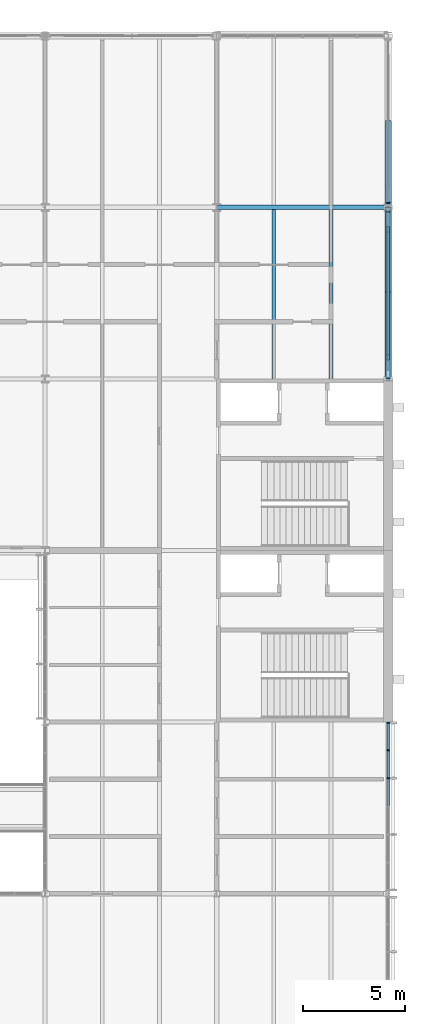
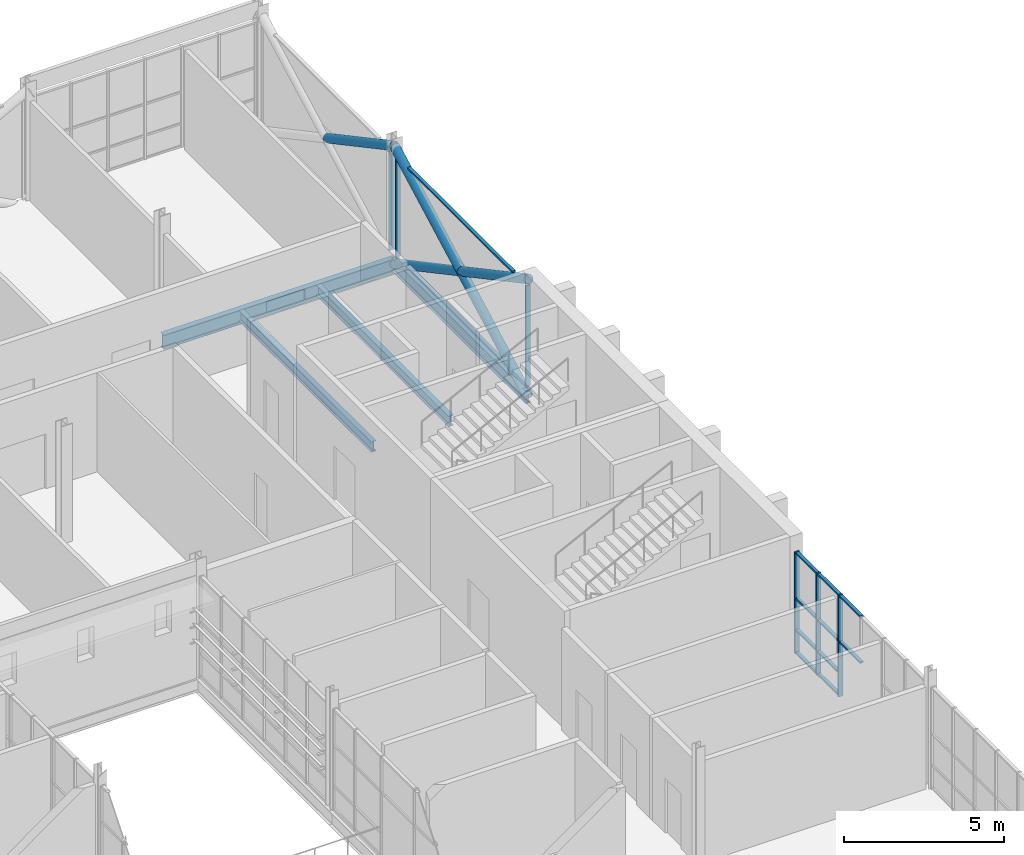
# One storey, part 58 of 129: 22 members, 4 beams, 3 elements without a shape of their own.
"""IFC4 building model written with IfcOpenShell, lengths in metres."""

from ifc_helpers import new_model, si_unit, direction, frame, origin, origin_2d, place, context, subcontext, project, spatial, rectangle, hollow_circle, i_section, extrude, material, layer, layer_set, material_profile, profile_set, type_object, element, aggregate, save


model = new_model("IFC4")

# Units and contexts
model_context = context("Model", 3, precision=1e-05, world=origin(), true_north=direction((0.0, 1.0)))
body_context = subcontext(model_context, "Body", "Model", "MODEL_VIEW")
ifc_project = project(units=[si_unit("LENGTHUNIT", "METRE"), si_unit("AREAUNIT", "SQUARE_METRE"), si_unit("VOLUMEUNIT", "CUBIC_METRE"), si_unit("PLANEANGLEUNIT", "RADIAN"), si_unit("MASSUNIT", "GRAM", prefix="KILO")], contexts=[model_context])

# Site, building, storey
site_placement = place(None, origin())
site = spatial("IfcSite", under=ifc_project, at=site_placement, CompositionType="ELEMENT")
building_placement = place(site_placement, origin())
building = spatial("IfcBuilding", under=site, at=building_placement, Name="Ardhachandra Cancer Care Centre", CompositionType="ELEMENT")
storey_placement = place(building_placement, frame((0.0, 0.0, 4.5)))
storey = spatial("IfcBuildingStorey", under=building, at=storey_placement, Name="L01", CompositionType="ELEMENT", Elevation=4.5)

# Beams
ifc_material_1 = material(Name="Steel E350 (IS 2062)", Category="steel")
ifc_material_profile_1 = material_profile(ifc_material_1, i_section(OverallWidth=0.179931640625, OverallDepth=0.39990234375, WebThickness=0.008544921875, FlangeThickness=0.013427734375, FilletRadius=0.02099609375, at=origin_2d()), Name="NPB 400x180x66.30")
ifc_profile_set_1 = profile_set([ifc_material_profile_1], Name="Steel E350 (IS 2062)")
beam_type_1 = type_object("IfcBeamType", Name="Beam NPB 400x180x66.30", PredefinedType="BEAM", material=ifc_profile_set_1)
for number, where, z_axis, x_axis, name in (
    (1, (139.60009765625, 88.199951171875, -0.35009765625), (0.0, 1.0, 0.0), (-1.0, 0.0, 0.0), "Secondary K16-L16@2800"),
    (2, (142.39990234375, 88.199951171875, -0.35009765625), (0.0, 1.0, 0.0), (-1.0, 0.0, 0.0), "Secondary K16-L16@5600"),
):
    element("IfcBeam", number, at=place(storey_placement, frame(where, z_axis=z_axis, x_axis=x_axis)), inside=storey, type_object=beam_type_1, Name=name, PredefinedType="BEAM", context=body_context, shape_type="SweptSolid", body=[
        extrude(i_section(OverallWidth=0.179931640625, OverallDepth=0.39990234375, WebThickness=0.008544921875, FlangeThickness=0.013427734375, FilletRadius=0.02099609375, at=origin_2d()), origin(), (0.0, 0.0, 1.0), 8.295166015625),
    ])
ifc_material_2 = material(Name="Steel E350 (IS 2062)", Category="steel")
ifc_material_profile_2 = material_profile(ifc_material_2, i_section(OverallWidth=0.199951171875, OverallDepth=0.5, WebThickness=0.01025390625, FlangeThickness=0.01611328125, FilletRadius=0.02099609375, at=origin_2d()), Name="NPB 500x200x90.68")
ifc_profile_set_2 = profile_set([ifc_material_profile_2], Name="Steel E350 (IS 2062)")
beam_type_2 = type_object("IfcBeamType", Name="Beam NPB 500x200x90.68", PredefinedType="BEAM", material=ifc_profile_set_2)
beam_1_placement = place(storey_placement, frame((145.199951171875, 88.199951171875, -0.39990234375), z_axis=(0.0, 1.0, 0.0), x_axis=(-1.0, 0.0, 0.0)))
element("IfcBeam", 3, at=beam_1_placement, inside=storey, type_object=beam_type_2, Name="Edge girder K17-L17", PredefinedType="BEAM", context=body_context, shape_type="SweptSolid", body=[
    extrude(i_section(OverallWidth=0.199951171875, OverallDepth=0.5, WebThickness=0.01025390625, FlangeThickness=0.01611328125, FilletRadius=0.02099609375, at=origin_2d()), origin(), (0.0, 0.0, 1.0), 8.400146484375),
])
ifc_material_3 = material(Name="Steel E350 (IS 2062)", Category="steel")
ifc_material_profile_3 = material_profile(ifc_material_3, i_section(OverallWidth=0.2099609375, OverallDepth=0.550048828125, WebThickness=0.010986328125, FlangeThickness=0.01708984375, FilletRadius=0.02392578125, at=origin_2d()), Name="NPB 550x210x105.52")
ifc_profile_set_3 = profile_set([ifc_material_profile_3], Name="Steel E350 (IS 2062)")
beam_type_3 = type_object("IfcBeamType", Name="Beam NPB 550x210x105.52", PredefinedType="BEAM", material=ifc_profile_set_3)
beam_2_placement = place(storey_placement, frame((136.800048828125, 96.60009765625, -0.425048828125), z_axis=(1.0, 0.0, 0.0), x_axis=(0.0, 1.0, 0.0)))
element("IfcBeam", 4, at=beam_2_placement, inside=storey, type_object=beam_type_3, Name="Girder L16-L17", PredefinedType="BEAM", context=body_context, shape_type="SweptSolid", body=[
    extrude(i_section(OverallWidth=0.2099609375, OverallDepth=0.550048828125, WebThickness=0.010986328125, FlangeThickness=0.01708984375, FilletRadius=0.02392578125, at=origin_2d()), origin(), (0.0, 0.0, 1.0), 8.39990234375),
])

# Members
ifc_material_4 = material(Name="Steel E350 (IS 2062)", Category="steel")
ifc_material_profile_4 = material_profile(ifc_material_4, hollow_circle(Radius=0.161865234375, WallThickness=0.012451171875, at=origin_2d()), Name="CHS 323.9x12.5")
ifc_profile_set_4 = profile_set([ifc_material_profile_4], Name="Steel E350 (IS 2062)")
member_type_1 = type_object("IfcMemberType", Name="Brace CHS 323.9x12.5", PredefinedType="BRACE", material=ifc_profile_set_4)
member_1_placement = place(storey_placement, frame((145.199951171875, 88.199951171875, -0.39990234375), z_axis=(0.0, 0.881483397762, 0.472215014025), x_axis=(-1.0, 0.0, 0.0)))
element("IfcMember", 5, at=member_1_placement, inside=storey, type_object=member_type_1, Name="Brace V5-Y1452-882 L01 A", PredefinedType="BRACE", context=body_context, shape_type="SweptSolid", body=[
    extrude(hollow_circle(Radius=0.161865234375, WallThickness=0.012451171875, at=origin_2d()), origin(), (0.0, 0.0, 1.0), 9.529541015625),
])
member_2_placement = place(storey_placement, frame((145.199951171875, 96.60009765625, -0.39990234375), z_axis=(0.0, -0.881489110341, 0.472204350203), x_axis=(1.0, 0.0, 0.0)))
element("IfcMember", 6, at=member_2_placement, inside=storey, type_object=member_type_1, Name="Brace V5-Y1452-882 L01 B1", PredefinedType="BRACE", context=body_context, shape_type="SweptSolid", body=[
    extrude(hollow_circle(Radius=0.161865234375, WallThickness=0.012451171875, at=origin_2d()), origin(), (0.0, 0.0, 1.0), 4.764892578125),
])
for number, where, z_axis, x_axis, name in (
    (7, (145.199951171875, 92.39990234375, 1.85009765625), (0.0, -0.881477684796, 0.472225678258), (1.0, 0.0, 0.0), "Brace V5-Y1452-882 L01 B2"),
    (8, (145.199951171875, 100.800048828125, 1.85009765625), (0.0, -0.881477684796, 0.472225678258), (1.0, 0.0, 0.0), "Brace V5-Y1452-966 L01 B2"),
):
    element("IfcMember", number, at=place(storey_placement, frame(where, z_axis=z_axis, x_axis=x_axis)), inside=storey, type_object=member_type_1, Name=name, PredefinedType="BRACE", context=body_context, shape_type="SweptSolid", body=[
        extrude(hollow_circle(Radius=0.161865234375, WallThickness=0.012451171875, at=origin_2d()), origin(), (0.0, 0.0, 1.0), 4.7646484375),
    ])

# Curtain wall, members
ifc_material_5 = material(Name="Aluminium extrusion", Category="aluminium")
ifc_layer = layer(ifc_material_5, 0.14990234375)
ifc_layer_set = layer_set([ifc_layer], Name="Aluminium extrusion")
curtain_wall_type = type_object("IfcCurtainWallType", Name="Curtain wall run", PredefinedType="NOTDEFINED", material=ifc_layer_set)
curtain_wall_1_placement = place(storey_placement, origin())
curtain_wall_1 = element("IfcCurtainWall", 9, at=curtain_wall_1_placement, inside=storey, type_object=curtain_wall_type, Name="Curtain wall L01 e/0145200_0063000", PredefinedType="NOTDEFINED")
ifc_material_6 = material(Name="Aluminium extrusion", Category="aluminium")
ifc_material_profile_5 = material_profile(ifc_material_6, rectangle(XDim=0.159912109375, YDim=0.06005859375, at=origin_2d()), Name="Curtain wall mullion 60 x 160")
ifc_profile_set_5 = profile_set([ifc_material_profile_5], Name="Aluminium extrusion")
member_type_2 = type_object("IfcMemberType", Name="Curtain wall mullion 60 x 160", PredefinedType="MULLION", material=ifc_profile_set_5)
member_3_placement = place(storey_placement, frame((145.199951171875, 68.6484375, 0.0), z_axis=(0.0, 0.0, 1.0), x_axis=(-1.0, 0.0, 0.0)))
member_3 = element("IfcMember", 10, at=member_3_placement, type_object=member_type_2, Name="CW mullion 5", PredefinedType="MULLION", context=body_context, shape_type="SweptSolid", body=[
    extrude(rectangle(XDim=0.159912109375, YDim=0.06005859375, at=origin_2d()), origin(), (0.0, 0.0, 1.0), 3.885986328125),
])
member_4_placement = place(storey_placement, frame((145.199951171875, 70.024169921875, 0.0), z_axis=(0.0, 0.0, 1.0), x_axis=(-1.0, 0.0, 0.0)))
member_4 = element("IfcMember", 11, at=member_4_placement, type_object=member_type_2, Name="CW mullion 6", PredefinedType="MULLION", context=body_context, shape_type="SweptSolid", body=[
    extrude(rectangle(XDim=0.159912109375, YDim=0.06005859375, at=origin_2d()), origin(), (0.0, 0.0, 1.0), 3.885986328125),
])
member_5_placement = place(storey_placement, frame((145.199951171875, 71.3701171875, 0.0), z_axis=(0.0, 0.0, 1.0), x_axis=(-1.0, 0.0, 0.0)))
member_5 = element("IfcMember", 12, at=member_5_placement, type_object=member_type_2, Name="CW mullion 7", PredefinedType="MULLION", context=body_context, shape_type="SweptSolid", body=[
    extrude(rectangle(XDim=0.159912109375, YDim=0.06005859375, at=origin_2d()), origin(), (0.0, 0.0, 1.0), 3.885986328125),
])

curtain_wall_2_placement = place(storey_placement, origin())
curtain_wall_2 = element("IfcCurtainWall", 13, at=curtain_wall_2_placement, inside=storey, type_object=curtain_wall_type, Name="Curtain wall L01 e/0145200_0088200", PredefinedType="NOTDEFINED")
member_6_placement = place(storey_placement, frame((145.199951171875, 88.22998046875, 0.0), z_axis=(0.0, 0.0, 1.0), x_axis=(-1.0, 0.0, 0.0)))
member_6 = element("IfcMember", 14, at=member_6_placement, type_object=member_type_2, Name="CW mullion 1", PredefinedType="MULLION", context=body_context, shape_type="SweptSolid", body=[
    extrude(rectangle(XDim=0.159912109375, YDim=0.06005859375, at=origin_2d()), origin(), (0.0, 0.0, 1.0), 3.85009765625),
])
member_7_placement = place(storey_placement, frame((145.199951171875, 96.387939453125, 0.0), z_axis=(0.0, 0.0, 1.0), x_axis=(-1.0, 0.0, 0.0)))
member_7 = element("IfcMember", 15, at=member_7_placement, type_object=member_type_2, Name="CW mullion 2", PredefinedType="MULLION", context=body_context, shape_type="SweptSolid", body=[
    extrude(rectangle(XDim=0.159912109375, YDim=0.06005859375, at=origin_2d()), origin(), (0.0, 0.0, 1.0), 3.78466796875),
])

# Curtain wall, member
curtain_wall_3_placement = place(storey_placement, origin())
curtain_wall_3 = element("IfcCurtainWall", 16, at=curtain_wall_3_placement, inside=storey, type_object=curtain_wall_type, Name="Curtain wall L01 e/0145200_0096600", PredefinedType="NOTDEFINED")
member_8_placement = place(storey_placement, frame((145.199951171875, 96.81201171875, 0.0), z_axis=(0.0, 0.0, 1.0), x_axis=(-1.0, 0.0, 0.0)))
member_8 = element("IfcMember", 17, at=member_8_placement, type_object=member_type_2, Name="CW mullion 1", PredefinedType="MULLION", context=body_context, shape_type="SweptSolid", body=[
    extrude(rectangle(XDim=0.159912109375, YDim=0.06005859375, at=origin_2d()), origin(), (0.0, 0.0, 1.0), 3.78466796875),
])
aggregate(curtain_wall_3, [member_8])

# Member
ifc_material_7 = material(Name="Aluminium extrusion", Category="aluminium")
ifc_material_profile_6 = material_profile(ifc_material_7, rectangle(XDim=0.1201171875, YDim=0.06005859375, at=origin_2d()), Name="Curtain wall transom 60 x 120")
ifc_profile_set_6 = profile_set([ifc_material_profile_6], Name="Aluminium extrusion")
member_type_3 = type_object("IfcMemberType", Name="Curtain wall transom 60 x 120", PredefinedType="USERDEFINED", material=ifc_profile_set_6)
member_9_placement = place(storey_placement, frame((145.199951171875, 67.302490234375, 2.10009765625), z_axis=(0.0, 1.0, 0.0), x_axis=(-1.0, 0.0, 0.0)))
member_9 = element("IfcMember", 18, at=member_9_placement, type_object=member_type_3, Name="CW transom 4.3", ObjectType="TRANSOM", PredefinedType="USERDEFINED", context=body_context, shape_type="SweptSolid", body=[
    extrude(rectangle(XDim=0.1201171875, YDim=0.06005859375, at=origin_2d()), origin(), (0.0, 0.0, 1.0), 1.31591796875),
])

member_10_placement = place(storey_placement, frame((145.199951171875, 67.302490234375, 3.85595703125), z_axis=(0.0, 1.0, 0.0), x_axis=(-1.0, 0.0, 0.0)))
member_10 = element("IfcMember", 19, at=member_10_placement, type_object=member_type_3, Name="CW transom 4.4", ObjectType="TRANSOM", PredefinedType="USERDEFINED", context=body_context, shape_type="SweptSolid", body=[
    extrude(rectangle(XDim=0.1201171875, YDim=0.06005859375, at=origin_2d()), origin(), (0.0, 0.0, 1.0), 1.31591796875),
])

member_11_placement = place(storey_placement, frame((145.199951171875, 68.67822265625, 0.030029296875), z_axis=(0.0, 1.0, 0.0), x_axis=(-1.0, 0.0, 0.0)))
member_11 = element("IfcMember", 20, at=member_11_placement, type_object=member_type_3, Name="CW transom 5.1", ObjectType="TRANSOM", PredefinedType="USERDEFINED", context=body_context, shape_type="SweptSolid", body=[
    extrude(rectangle(XDim=0.1201171875, YDim=0.06005859375, at=origin_2d()), origin(), (0.0, 0.0, 1.0), 1.31591796875),
])

member_12_placement = place(storey_placement, frame((145.199951171875, 68.67822265625, 0.89990234375), z_axis=(0.0, 1.0, 0.0), x_axis=(-1.0, 0.0, 0.0)))
member_12 = element("IfcMember", 21, at=member_12_placement, type_object=member_type_3, Name="CW transom 5.2", ObjectType="TRANSOM", PredefinedType="USERDEFINED", context=body_context, shape_type="SweptSolid", body=[
    extrude(rectangle(XDim=0.1201171875, YDim=0.06005859375, at=origin_2d()), origin(), (0.0, 0.0, 1.0), 1.31591796875),
])

member_13_placement = place(storey_placement, frame((145.199951171875, 68.67822265625, 2.10009765625), z_axis=(0.0, 1.0, 0.0), x_axis=(-1.0, 0.0, 0.0)))
member_13 = element("IfcMember", 22, at=member_13_placement, type_object=member_type_3, Name="CW transom 5.3", ObjectType="TRANSOM", PredefinedType="USERDEFINED", context=body_context, shape_type="SweptSolid", body=[
    extrude(rectangle(XDim=0.1201171875, YDim=0.06005859375, at=origin_2d()), origin(), (0.0, 0.0, 1.0), 1.31591796875),
])

member_14_placement = place(storey_placement, frame((145.199951171875, 68.67822265625, 3.85595703125), z_axis=(0.0, 1.0, 0.0), x_axis=(-1.0, 0.0, 0.0)))
member_14 = element("IfcMember", 23, at=member_14_placement, type_object=member_type_3, Name="CW transom 5.4", ObjectType="TRANSOM", PredefinedType="USERDEFINED", context=body_context, shape_type="SweptSolid", body=[
    extrude(rectangle(XDim=0.1201171875, YDim=0.06005859375, at=origin_2d()), origin(), (0.0, 0.0, 1.0), 1.31591796875),
])

member_15_placement = place(storey_placement, frame((145.199951171875, 70.05419921875, 0.030029296875), z_axis=(0.0, 1.0, 0.0), x_axis=(-1.0, 0.0, 0.0)))
member_15 = element("IfcMember", 24, at=member_15_placement, type_object=member_type_3, Name="CW transom 6.1", ObjectType="TRANSOM", PredefinedType="USERDEFINED", context=body_context, shape_type="SweptSolid", body=[
    extrude(rectangle(XDim=0.1201171875, YDim=0.06005859375, at=origin_2d()), origin(), (0.0, 0.0, 1.0), 1.285888671875),
])

member_16_placement = place(storey_placement, frame((145.199951171875, 70.05419921875, 0.89990234375), z_axis=(0.0, 1.0, 0.0), x_axis=(-1.0, 0.0, 0.0)))
member_16 = element("IfcMember", 25, at=member_16_placement, type_object=member_type_3, Name="CW transom 6.2", ObjectType="TRANSOM", PredefinedType="USERDEFINED", context=body_context, shape_type="SweptSolid", body=[
    extrude(rectangle(XDim=0.1201171875, YDim=0.06005859375, at=origin_2d()), origin(), (0.0, 0.0, 1.0), 1.285888671875),
])

member_17_placement = place(storey_placement, frame((145.199951171875, 70.05419921875, 2.10009765625), z_axis=(0.0, 1.0, 0.0), x_axis=(-1.0, 0.0, 0.0)))
member_17 = element("IfcMember", 26, at=member_17_placement, type_object=member_type_3, Name="CW transom 6.3", ObjectType="TRANSOM", PredefinedType="USERDEFINED", context=body_context, shape_type="SweptSolid", body=[
    extrude(rectangle(XDim=0.1201171875, YDim=0.06005859375, at=origin_2d()), origin(), (0.0, 0.0, 1.0), 1.285888671875),
])

member_18_placement = place(storey_placement, frame((145.199951171875, 70.05419921875, 3.85595703125), z_axis=(0.0, 1.0, 0.0), x_axis=(-1.0, 0.0, 0.0)))
member_18 = element("IfcMember", 27, at=member_18_placement, type_object=member_type_3, Name="CW transom 6.4", ObjectType="TRANSOM", PredefinedType="USERDEFINED", context=body_context, shape_type="SweptSolid", body=[
    extrude(rectangle(XDim=0.1201171875, YDim=0.06005859375, at=origin_2d()), origin(), (0.0, 0.0, 1.0), 1.285888671875),
])

aggregate(curtain_wall_1, [member_3, member_4, member_5, member_9, member_10, member_11, member_12, member_13, member_14, member_15, member_16, member_17, member_18])

member_19_placement = place(storey_placement, frame((145.199951171875, 89.40478515625, 0.030029296875), z_axis=(0.0, 1.0, 0.0), x_axis=(-1.0, 0.0, 0.0)))
member_19 = element("IfcMember", 28, at=member_19_placement, type_object=member_type_3, Name="CW transom 1.1", ObjectType="TRANSOM", PredefinedType="USERDEFINED", context=body_context, shape_type="SweptSolid", body=[
    extrude(rectangle(XDim=0.1201171875, YDim=0.06005859375, at=origin_2d()), origin(), (0.0, 0.0, 1.0), 5.991455078125),
])

member_20_placement = place(storey_placement, frame((145.199951171875, 89.123779296875, 3.820068359375), z_axis=(0.0, 1.0, 0.0), x_axis=(-1.0, 0.0, 0.0)))
member_20 = element("IfcMember", 29, at=member_20_placement, type_object=member_type_3, Name="CW transom 1.2", ObjectType="TRANSOM", PredefinedType="USERDEFINED", context=body_context, shape_type="SweptSolid", body=[
    extrude(rectangle(XDim=0.1201171875, YDim=0.06005859375, at=origin_2d()), origin(), (0.0, 0.0, 1.0), 6.552490234375),
])

aggregate(curtain_wall_2, [member_6, member_7, member_19, member_20])

save(model, "model.ifc")
